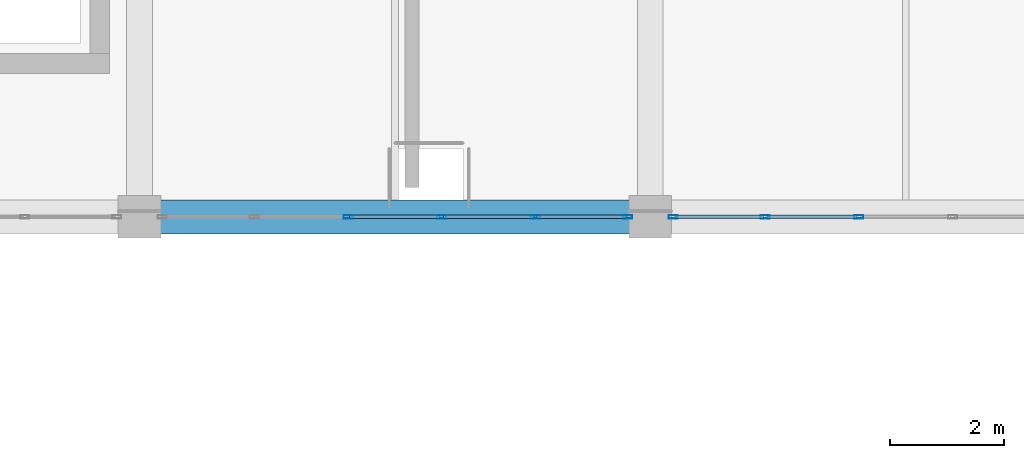
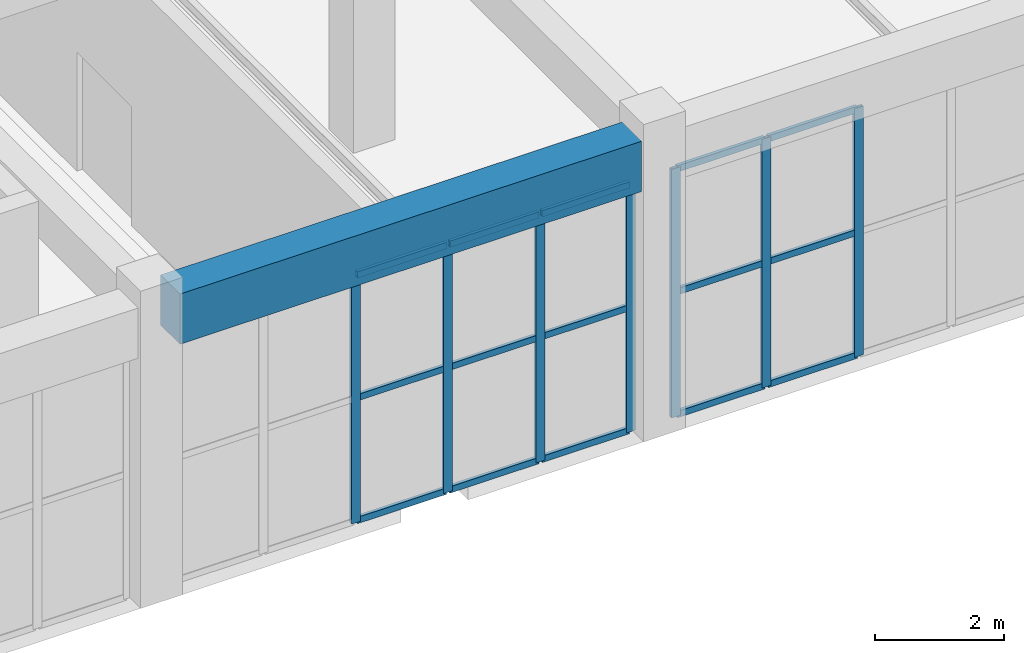
# One storey, part 100 of 223: 22 members, 1 beam, 2 elements without a shape of their own.
"""IFC4 building model written with IfcOpenShell, lengths in metres."""

from ifc_helpers import new_model, si_unit, direction, frame, origin, origin_2d, place, context, subcontext, project, spatial, rectangle, hollow_rectangle, extrude, material, layer, layer_set, material_profile, profile_set, type_object, element, aggregate, save


model = new_model("IFC4")

# Units and contexts
model_context = context("Model", 3, precision=1e-05, world=origin(), true_north=direction((0.0, 1.0)))
body_context = subcontext(model_context, "Body", "Model", "MODEL_VIEW")
ifc_project = project(units=[si_unit("LENGTHUNIT", "METRE"), si_unit("AREAUNIT", "SQUARE_METRE"), si_unit("VOLUMEUNIT", "CUBIC_METRE"), si_unit("PLANEANGLEUNIT", "RADIAN"), si_unit("MASSUNIT", "GRAM", prefix="KILO")], contexts=[model_context])

# Site, building, storey
site_placement = place(None, origin())
site = spatial("IfcSite", under=ifc_project, at=site_placement, CompositionType="ELEMENT")
building_placement = place(site_placement, origin())
building = spatial("IfcBuilding", under=site, at=building_placement, Name="Dornveld Trade and Exhibition Forum", CompositionType="ELEMENT")
storey_placement = place(building_placement, frame((0.0, 0.0, 6.0)))
storey = spatial("IfcBuildingStorey", under=building, at=storey_placement, Name="L01", CompositionType="ELEMENT", Elevation=6.0)

# Beam
ifc_material_1 = material(Name="Precast concrete C50/60", Category="concrete")
ifc_material_profile_1 = material_profile(ifc_material_1, rectangle(XDim=0.60009765625, YDim=0.949951171875, at=origin_2d()), Name="PC-GIR 600x950")
ifc_profile_set_1 = profile_set([ifc_material_profile_1], Name="Precast concrete C50/60")
beam_type = type_object("IfcBeamType", Name="BM-PC-600x950", PredefinedType="T_BEAM", material=ifc_profile_set_1)
beam_placement = place(storey_placement, frame((189.37109375, 108.0, 5.1650390625), z_axis=(1.0, 0.0, 0.0), x_axis=(0.0, 1.0, 0.0)))
element("IfcBeam", 1, at=beam_placement, inside=storey, type_object=beam_type, Name="L01 X-girder 1336", PredefinedType="T_BEAM", context=body_context, shape_type="SweptSolid", body=[
    extrude(rectangle(XDim=0.60009765625, YDim=0.949951171875, at=origin_2d()), origin(), (0.0, 0.0, 1.0), 8.2578125),
])

# Curtain wall, members
ifc_material_2 = material(Name="Dark-bronze anodised aluminium and low-E glass", Category="aluminium")
ifc_layer_1 = layer(ifc_material_2, 0.18994140625)
ifc_layer_set_1 = layer_set([ifc_layer_1], Name="Dark-bronze anodised aluminium and low-E glass")
curtain_wall_type_1 = type_object("IfcCurtainWallType", Name="CW-SYS-16", PredefinedType="USERDEFINED", material=ifc_layer_set_1)
curtain_wall_1_placement = place(storey_placement, origin())
curtain_wall_1 = element("IfcCurtainWall", 2, at=curtain_wall_1_placement, inside=storey, type_object=curtain_wall_type_1, Name="L01 unitised curtain wall 106", ObjectType="UNITISED_CURTAIN_WALL", PredefinedType="USERDEFINED")
ifc_material_3 = material(Name="Dark-bronze anodised aluminium", Category="aluminium")
ifc_material_profile_2 = material_profile(ifc_material_3, hollow_rectangle(XDim=0.06005859375, YDim=0.159912109375, WallThickness=0.00390625, at=origin_2d()), Name="RHS 160x60x4")
ifc_profile_set_2 = profile_set([ifc_material_profile_2], Name="Dark-bronze anodised aluminium")
member_type_1 = type_object("IfcMemberType", Name="CW-MUL-160", PredefinedType="MULLION", material=ifc_profile_set_2)
member_1_placement = place(storey_placement, frame((192.67431640625, 108.0, -0.00390625), z_axis=(0.0, 0.0, 1.0), x_axis=(0.0, 1.0, 0.0)))
member_1 = element("IfcMember", 3, at=member_1_placement, type_object=member_type_1, Name="CW-16 mullion 3", PredefinedType="MULLION", context=body_context, shape_type="SweptSolid", body=[
    extrude(hollow_rectangle(XDim=0.06005859375, YDim=0.159912109375, WallThickness=0.00390625, at=origin_2d()), origin(), (0.0, 0.0, 1.0), 4.703857421875),
])
member_2_placement = place(storey_placement, frame((194.32568359375, 108.0, -0.00390625), z_axis=(0.0, 0.0, 1.0), x_axis=(0.0, 1.0, 0.0)))
member_2 = element("IfcMember", 4, at=member_2_placement, type_object=member_type_1, Name="CW-16 mullion 4", PredefinedType="MULLION", context=body_context, shape_type="SweptSolid", body=[
    extrude(hollow_rectangle(XDim=0.06005859375, YDim=0.159912109375, WallThickness=0.00390625, at=origin_2d()), origin(), (0.0, 0.0, 1.0), 4.703857421875),
])
member_3_placement = place(storey_placement, frame((195.977294921875, 108.0, -0.00390625), z_axis=(0.0, 0.0, 1.0), x_axis=(0.0, 1.0, 0.0)))
member_3 = element("IfcMember", 5, at=member_3_placement, type_object=member_type_1, Name="CW-16 mullion 5", PredefinedType="MULLION", context=body_context, shape_type="SweptSolid", body=[
    extrude(hollow_rectangle(XDim=0.06005859375, YDim=0.159912109375, WallThickness=0.00390625, at=origin_2d()), origin(), (0.0, 0.0, 1.0), 4.703857421875),
])
member_4_placement = place(storey_placement, frame((197.59912109375, 108.0, -0.00390625), z_axis=(0.0, 0.0, 1.0), x_axis=(0.0, 1.0, 0.0)))
member_4 = element("IfcMember", 6, at=member_4_placement, type_object=member_type_1, Name="CW-16 mullion 6", PredefinedType="MULLION", context=body_context, shape_type="SweptSolid", body=[
    extrude(hollow_rectangle(XDim=0.06005859375, YDim=0.159912109375, WallThickness=0.00390625, at=origin_2d()), origin(), (0.0, 0.0, 1.0), 4.703857421875),
])

ifc_material_4 = material(Name="Dark-bronze anodised aluminium and low-E glass", Category="aluminium")
ifc_layer_2 = layer(ifc_material_4, 0.193115234375)
ifc_layer_set_2 = layer_set([ifc_layer_2], Name="Dark-bronze anodised aluminium and low-E glass")
curtain_wall_type_2 = type_object("IfcCurtainWallType", Name="CW-SYS-17", PredefinedType="USERDEFINED", material=ifc_layer_set_2)
curtain_wall_2_placement = place(storey_placement, origin())
curtain_wall_2 = element("IfcCurtainWall", 7, at=curtain_wall_2_placement, inside=storey, type_object=curtain_wall_type_2, Name="L01 unitised curtain wall 107", ObjectType="UNITISED_CURTAIN_WALL", PredefinedType="USERDEFINED")
member_5_placement = place(storey_placement, frame((198.40087890625, 108.0, -0.00390625), z_axis=(0.0, 0.0, 1.0), x_axis=(0.0, 1.0, 0.0)))
member_5 = element("IfcMember", 8, at=member_5_placement, type_object=member_type_1, Name="CW-17 mullion 1", PredefinedType="MULLION", context=body_context, shape_type="SweptSolid", body=[
    extrude(hollow_rectangle(XDim=0.06005859375, YDim=0.159912109375, WallThickness=0.00390625, at=origin_2d()), origin(), (0.0, 0.0, 1.0), 4.703857421875),
])
member_6_placement = place(storey_placement, frame((200.022705078125, 108.0, -0.00390625), z_axis=(0.0, 0.0, 1.0), x_axis=(0.0, 1.0, 0.0)))
member_6 = element("IfcMember", 9, at=member_6_placement, type_object=member_type_1, Name="CW-17 mullion 2", PredefinedType="MULLION", context=body_context, shape_type="SweptSolid", body=[
    extrude(hollow_rectangle(XDim=0.06005859375, YDim=0.159912109375, WallThickness=0.00390625, at=origin_2d()), origin(), (0.0, 0.0, 1.0), 4.703857421875),
])
member_7_placement = place(storey_placement, frame((201.67431640625, 108.0, -0.00390625), z_axis=(0.0, 0.0, 1.0), x_axis=(0.0, 1.0, 0.0)))
member_7 = element("IfcMember", 10, at=member_7_placement, type_object=member_type_1, Name="CW-17 mullion 3", PredefinedType="MULLION", context=body_context, shape_type="SweptSolid", body=[
    extrude(hollow_rectangle(XDim=0.06005859375, YDim=0.159912109375, WallThickness=0.00390625, at=origin_2d()), origin(), (0.0, 0.0, 1.0), 4.703857421875),
])

# Member
ifc_material_5 = material(Name="Dark-bronze anodised aluminium", Category="aluminium")
ifc_material_profile_3 = material_profile(ifc_material_5, hollow_rectangle(XDim=0.06005859375, YDim=0.1201171875, WallThickness=0.00390625, at=origin_2d()), Name="RHS 120x60x4")
ifc_profile_set_3 = profile_set([ifc_material_profile_3], Name="Dark-bronze anodised aluminium")
member_type_2 = type_object("IfcMemberType", Name="CW-TRN-120", PredefinedType="USERDEFINED", material=ifc_profile_set_3)
member_8_placement = place(storey_placement, frame((192.7041015625, 108.0, 0.02587890625), z_axis=(1.0, 0.0, 0.0), x_axis=(0.0, 1.0, 0.0)))
member_8 = element("IfcMember", 11, at=member_8_placement, type_object=member_type_2, Name="CW-16 transom 3.1", ObjectType="TRANSOM", PredefinedType="USERDEFINED", context=body_context, shape_type="SweptSolid", body=[
    extrude(hollow_rectangle(XDim=0.06005859375, YDim=0.1201171875, WallThickness=0.00390625, at=origin_2d()), origin(), (0.0, 0.0, 1.0), 1.591796875),
])

member_9_placement = place(storey_placement, frame((192.7041015625, 108.0, 2.347900390625), z_axis=(1.0, 0.0, 0.0), x_axis=(0.0, 1.0, 0.0)))
member_9 = element("IfcMember", 12, at=member_9_placement, type_object=member_type_2, Name="CW-16 transom 3.2", ObjectType="TRANSOM", PredefinedType="USERDEFINED", context=body_context, shape_type="SweptSolid", body=[
    extrude(hollow_rectangle(XDim=0.06005859375, YDim=0.1201171875, WallThickness=0.00390625, at=origin_2d()), origin(), (0.0, 0.0, 1.0), 1.591796875),
])

member_10_placement = place(storey_placement, frame((192.7041015625, 108.0, 4.669921875), z_axis=(1.0, 0.0, 0.0), x_axis=(0.0, 1.0, 0.0)))
member_10 = element("IfcMember", 13, at=member_10_placement, type_object=member_type_2, Name="CW-16 transom 3.3", ObjectType="TRANSOM", PredefinedType="USERDEFINED", context=body_context, shape_type="SweptSolid", body=[
    extrude(hollow_rectangle(XDim=0.06005859375, YDim=0.1201171875, WallThickness=0.00390625, at=origin_2d()), origin(), (0.0, 0.0, 1.0), 1.591796875),
])

member_11_placement = place(storey_placement, frame((194.355712890625, 108.0, 0.02587890625), z_axis=(1.0, 0.0, 0.0), x_axis=(0.0, 1.0, 0.0)))
member_11 = element("IfcMember", 14, at=member_11_placement, type_object=member_type_2, Name="CW-16 transom 4.1", ObjectType="TRANSOM", PredefinedType="USERDEFINED", context=body_context, shape_type="SweptSolid", body=[
    extrude(hollow_rectangle(XDim=0.06005859375, YDim=0.1201171875, WallThickness=0.00390625, at=origin_2d()), origin(), (0.0, 0.0, 1.0), 1.591796875),
])

member_12_placement = place(storey_placement, frame((194.355712890625, 108.0, 2.347900390625), z_axis=(1.0, 0.0, 0.0), x_axis=(0.0, 1.0, 0.0)))
member_12 = element("IfcMember", 15, at=member_12_placement, type_object=member_type_2, Name="CW-16 transom 4.2", ObjectType="TRANSOM", PredefinedType="USERDEFINED", context=body_context, shape_type="SweptSolid", body=[
    extrude(hollow_rectangle(XDim=0.06005859375, YDim=0.1201171875, WallThickness=0.00390625, at=origin_2d()), origin(), (0.0, 0.0, 1.0), 1.591796875),
])

member_13_placement = place(storey_placement, frame((194.355712890625, 108.0, 4.669921875), z_axis=(1.0, 0.0, 0.0), x_axis=(0.0, 1.0, 0.0)))
member_13 = element("IfcMember", 16, at=member_13_placement, type_object=member_type_2, Name="CW-16 transom 4.3", ObjectType="TRANSOM", PredefinedType="USERDEFINED", context=body_context, shape_type="SweptSolid", body=[
    extrude(hollow_rectangle(XDim=0.06005859375, YDim=0.1201171875, WallThickness=0.00390625, at=origin_2d()), origin(), (0.0, 0.0, 1.0), 1.591796875),
])

member_14_placement = place(storey_placement, frame((196.00732421875, 108.0, 0.02587890625), z_axis=(1.0, 0.0, 0.0), x_axis=(0.0, 1.0, 0.0)))
member_14 = element("IfcMember", 17, at=member_14_placement, type_object=member_type_2, Name="CW-16 transom 5.1", ObjectType="TRANSOM", PredefinedType="USERDEFINED", context=body_context, shape_type="SweptSolid", body=[
    extrude(hollow_rectangle(XDim=0.06005859375, YDim=0.1201171875, WallThickness=0.00390625, at=origin_2d()), origin(), (0.0, 0.0, 1.0), 1.561767578125),
])

member_15_placement = place(storey_placement, frame((196.00732421875, 108.0, 2.347900390625), z_axis=(1.0, 0.0, 0.0), x_axis=(0.0, 1.0, 0.0)))
member_15 = element("IfcMember", 18, at=member_15_placement, type_object=member_type_2, Name="CW-16 transom 5.2", ObjectType="TRANSOM", PredefinedType="USERDEFINED", context=body_context, shape_type="SweptSolid", body=[
    extrude(hollow_rectangle(XDim=0.06005859375, YDim=0.1201171875, WallThickness=0.00390625, at=origin_2d()), origin(), (0.0, 0.0, 1.0), 1.561767578125),
])

member_16_placement = place(storey_placement, frame((196.00732421875, 108.0, 4.669921875), z_axis=(1.0, 0.0, 0.0), x_axis=(0.0, 1.0, 0.0)))
member_16 = element("IfcMember", 19, at=member_16_placement, type_object=member_type_2, Name="CW-16 transom 5.3", ObjectType="TRANSOM", PredefinedType="USERDEFINED", context=body_context, shape_type="SweptSolid", body=[
    extrude(hollow_rectangle(XDim=0.06005859375, YDim=0.1201171875, WallThickness=0.00390625, at=origin_2d()), origin(), (0.0, 0.0, 1.0), 1.561767578125),
])

aggregate(curtain_wall_1, [member_1, member_2, member_3, member_4, member_8, member_9, member_10, member_11, member_12, member_13, member_14, member_15, member_16])

member_17_placement = place(storey_placement, frame((198.430908203125, 108.0, 0.02587890625), z_axis=(1.0, 0.0, 0.0), x_axis=(0.0, 1.0, 0.0)))
member_17 = element("IfcMember", 20, at=member_17_placement, type_object=member_type_2, Name="CW-17 transom 1.1", ObjectType="TRANSOM", PredefinedType="USERDEFINED", context=body_context, shape_type="SweptSolid", body=[
    extrude(hollow_rectangle(XDim=0.06005859375, YDim=0.1201171875, WallThickness=0.00390625, at=origin_2d()), origin(), (0.0, 0.0, 1.0), 1.561767578125),
])

member_18_placement = place(storey_placement, frame((198.430908203125, 108.0, 2.347900390625), z_axis=(1.0, 0.0, 0.0), x_axis=(0.0, 1.0, 0.0)))
member_18 = element("IfcMember", 21, at=member_18_placement, type_object=member_type_2, Name="CW-17 transom 1.2", ObjectType="TRANSOM", PredefinedType="USERDEFINED", context=body_context, shape_type="SweptSolid", body=[
    extrude(hollow_rectangle(XDim=0.06005859375, YDim=0.1201171875, WallThickness=0.00390625, at=origin_2d()), origin(), (0.0, 0.0, 1.0), 1.561767578125),
])

member_19_placement = place(storey_placement, frame((198.430908203125, 108.0, 4.669921875), z_axis=(1.0, 0.0, 0.0), x_axis=(0.0, 1.0, 0.0)))
member_19 = element("IfcMember", 22, at=member_19_placement, type_object=member_type_2, Name="CW-17 transom 1.3", ObjectType="TRANSOM", PredefinedType="USERDEFINED", context=body_context, shape_type="SweptSolid", body=[
    extrude(hollow_rectangle(XDim=0.06005859375, YDim=0.1201171875, WallThickness=0.00390625, at=origin_2d()), origin(), (0.0, 0.0, 1.0), 1.561767578125),
])

member_20_placement = place(storey_placement, frame((200.052490234375, 108.0, 0.02587890625), z_axis=(1.0, 0.0, 0.0), x_axis=(0.0, 1.0, 0.0)))
member_20 = element("IfcMember", 23, at=member_20_placement, type_object=member_type_2, Name="CW-17 transom 2.1", ObjectType="TRANSOM", PredefinedType="USERDEFINED", context=body_context, shape_type="SweptSolid", body=[
    extrude(hollow_rectangle(XDim=0.06005859375, YDim=0.1201171875, WallThickness=0.00390625, at=origin_2d()), origin(), (0.0, 0.0, 1.0), 1.591796875),
])

member_21_placement = place(storey_placement, frame((200.052490234375, 108.0, 2.347900390625), z_axis=(1.0, 0.0, 0.0), x_axis=(0.0, 1.0, 0.0)))
member_21 = element("IfcMember", 24, at=member_21_placement, type_object=member_type_2, Name="CW-17 transom 2.2", ObjectType="TRANSOM", PredefinedType="USERDEFINED", context=body_context, shape_type="SweptSolid", body=[
    extrude(hollow_rectangle(XDim=0.06005859375, YDim=0.1201171875, WallThickness=0.00390625, at=origin_2d()), origin(), (0.0, 0.0, 1.0), 1.591796875),
])

member_22_placement = place(storey_placement, frame((200.052490234375, 108.0, 4.669921875), z_axis=(1.0, 0.0, 0.0), x_axis=(0.0, 1.0, 0.0)))
member_22 = element("IfcMember", 25, at=member_22_placement, type_object=member_type_2, Name="CW-17 transom 2.3", ObjectType="TRANSOM", PredefinedType="USERDEFINED", context=body_context, shape_type="SweptSolid", body=[
    extrude(hollow_rectangle(XDim=0.06005859375, YDim=0.1201171875, WallThickness=0.00390625, at=origin_2d()), origin(), (0.0, 0.0, 1.0), 1.591796875),
])

aggregate(curtain_wall_2, [member_5, member_6, member_7, member_17, member_18, member_19, member_20, member_21, member_22])

save(model, "model.ifc")
